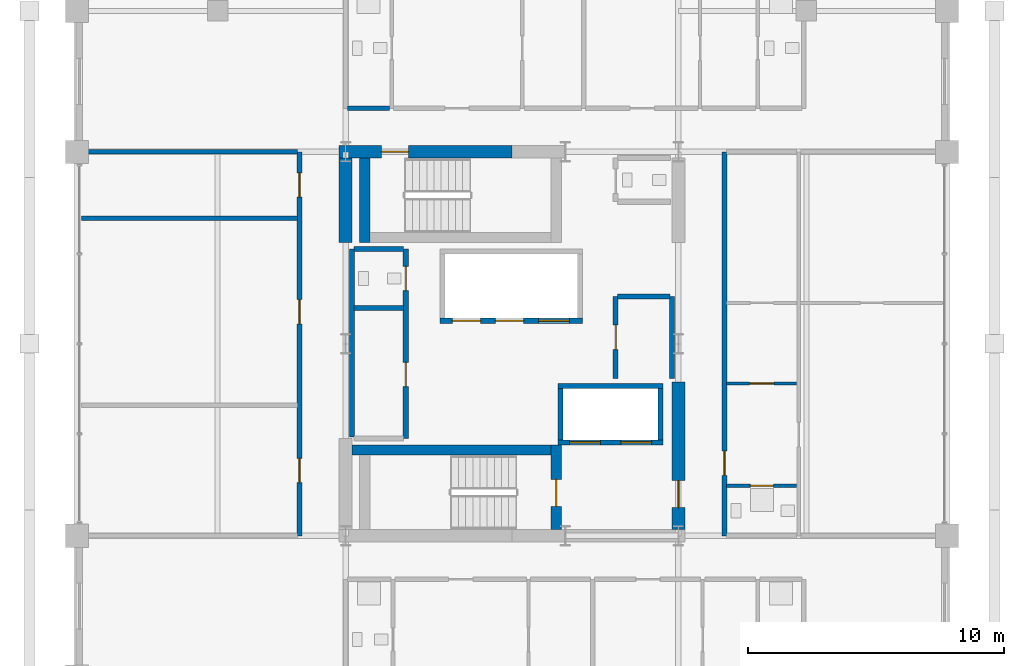
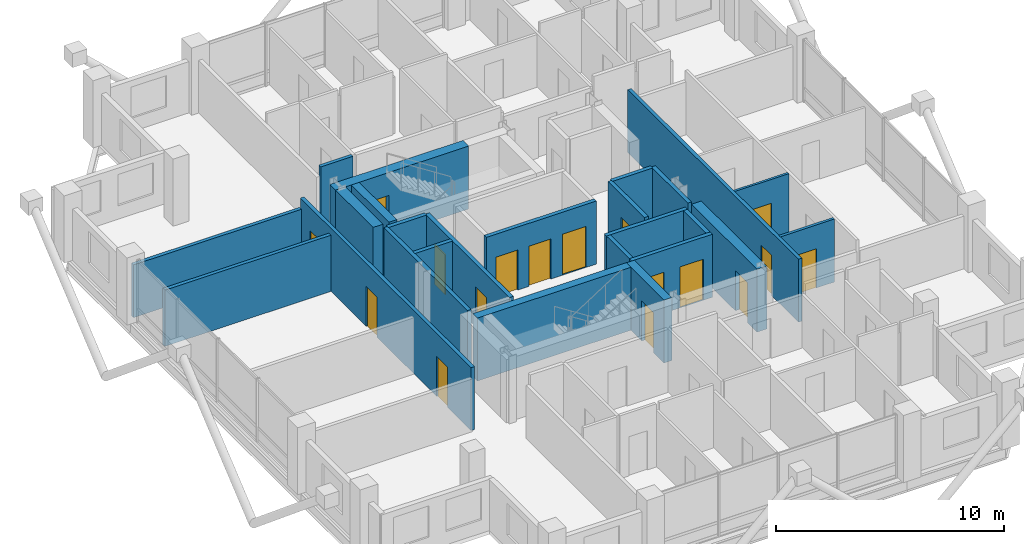
# One storey, part 19 of 23: 25 walls, 17 doors, 17 openings.
"""IFC4 building model written with IfcOpenShell, lengths in metres."""

from ifc_helpers import new_model, si_unit, direction, frame, frame_2d, origin, place, context, subcontext, project, spatial, rectangle, extrude, material, layer, layer_set, type_object, element, fill, save


model = new_model("IFC4")

# Units and contexts
model_context = context("Model", 3, precision=1e-05, world=origin(), true_north=direction((0.0, 1.0)))
body_context = subcontext(model_context, "Body", "Model", "MODEL_VIEW")
ifc_project = project(units=[si_unit("LENGTHUNIT", "METRE"), si_unit("AREAUNIT", "SQUARE_METRE"), si_unit("VOLUMEUNIT", "CUBIC_METRE"), si_unit("PLANEANGLEUNIT", "RADIAN"), si_unit("MASSUNIT", "GRAM", prefix="KILO")], contexts=[model_context])

# Site, building, storey
site_placement = place(None, origin())
site = spatial("IfcSite", under=ifc_project, at=site_placement, CompositionType="ELEMENT")
building_placement = place(site_placement, origin())
building = spatial("IfcBuilding", under=site, at=building_placement, Name="Barlavira Tower and Art Museum", CompositionType="ELEMENT")
storey_placement = place(building_placement, frame((0.0, 0.0, 236.699951171875)))
storey = spatial("IfcBuildingStorey", under=building, at=storey_placement, Name="L61", CompositionType="ELEMENT", Elevation=236.699951171875)

# Wall, opening, door
ifc_material_1 = material(Name="Gypsum acoustic stud partition", Category="gypsum")
ifc_layer_1 = layer(ifc_material_1, 0.1201171875, Name="Gypsum acoustic stud partition")
ifc_layer_set_1 = layer_set([ifc_layer_1], Name="Gypsum acoustic stud partition")
wall_type_1 = type_object("IfcWallType", Name="Apartment Internal Acoustic Partition 120", PredefinedType="PARTITIONING", material=ifc_layer_set_1)
wall_1_placement = place(storey_placement, frame((8.3798828125, -1.550048828125, 0.0), z_axis=(0.0, 0.0, 1.0), x_axis=(1.0, 0.0, 0.0)))
wall_1 = element("IfcWall", 1, at=wall_1_placement, inside=storey, type_object=wall_type_1, Name="L61 Partition Wall 46", PredefinedType="PARTITIONING", context=body_context, shape_type="SweptSolid", body=[
    extrude(rectangle(XDim=2.740234375, YDim=0.1201171875, at=frame_2d((1.3701171875, 0.0))), origin(), (0.0, 0.0, 1.0), 3.380126953125),
])
opening_1_placement = place(wall_1_placement, frame((0.905029296875, 0.0, 0.0)))
opening_1 = element("IfcOpeningElement", 2, at=opening_1_placement, cuts=wall_1, Name="Opening D-02", PredefinedType="OPENING", context=body_context, shape_type="SweptSolid", body=[
    extrude(rectangle(XDim=0.949951171875, YDim=2.10009765625, at=frame_2d((0.47509765625, 1.050048828125))), frame((0.0, 0.070068359375, 0.0), z_axis=(0.0, -1.0, 0.0), x_axis=(1.0, 0.0, 0.0)), (0.0, 0.0, 1.0), 0.14013671875),
])
ifc_material_2 = material(Name="Engineered coastal hardwood", Category="wood")
door_type_1 = type_object("IfcDoorType", Name="Living and Salon Glazed-Leaf Door 950x2100", OperationType="NOTDEFINED", PredefinedType="DOOR", material=ifc_material_2)
door_1_placement = place(opening_1_placement, origin())
door_1 = element("IfcDoor", 3, at=door_1_placement, inside=storey, type_object=door_type_1, Name="Apartment E1 Kitchen Door", OperationType="SINGLE_SWING_LEFT", OverallHeight=2.10009765625, OverallWidth=0.949951171875, PredefinedType="DOOR", context=body_context, shape_type="SweptSolid", body=[
    extrude(rectangle(XDim=0.949951171875, YDim=2.10009765625, at=frame_2d((0.47509765625, 1.050048828125))), frame((0.0, 0.02490234375, 0.0), z_axis=(0.0, -1.0, 0.0), x_axis=(1.0, 0.0, 0.0)), (0.0, 0.0, 1.0), 0.050048828125),
])
fill(opening_1, door_1)

ifc_material_3 = material(Name="Concrete C60", Category="concrete")
ifc_layer_2 = layer(ifc_material_3, 0.5, Name="Concrete C60")
ifc_layer_set_2 = layer_set([ifc_layer_2], Name="Concrete C60")
wall_type_2 = type_object("IfcWallType", Name="Core Structural Shear Wall 500 Concrete C60", PredefinedType="SHEAR", material=ifc_layer_set_2)
wall_2_placement = place(storey_placement, frame((-6.75, 7.5, 0.0), z_axis=(0.0, 0.0, 1.0), x_axis=(1.0, 0.0, 0.0)))
wall_2 = element("IfcWall", 4, at=wall_2_placement, inside=storey, type_object=wall_type_2, Name="L61 Core Shear Wall CS-NW", PredefinedType="SHEAR", context=body_context, shape_type="SweptSolid", body=[
    extrude(rectangle(XDim=6.75, YDim=0.5, at=frame_2d((3.375, 0.0))), origin(), (0.0, 0.0, 1.0), 3.380126953125),
])
opening_2_placement = place(wall_2_placement, frame((1.64990234375, 0.0, 0.0)))
opening_2 = element("IfcOpeningElement", 5, at=opening_2_placement, cuts=wall_2, Name="Opening FD-90", PredefinedType="OPENING", context=body_context, shape_type="SweptSolid", body=[
    extrude(rectangle(XDim=1.050048828125, YDim=2.14990234375, at=frame_2d((0.52490234375, 1.074951171875))), frame((0.0, 0.260009765625, 0.0), z_axis=(0.0, -1.0, 0.0), x_axis=(1.0, 0.0, 0.0)), (0.0, 0.0, 1.0), 0.52001953125),
])
ifc_material_4 = material(Name="Brushed stainless steel", Category="steel")
door_type_2 = type_object("IfcDoorType", Name="Stair and Refuge Fire Door 1050x2150 FD90S", OperationType="NOTDEFINED", PredefinedType="DOOR", material=ifc_material_4)
door_2_placement = place(opening_2_placement, origin())
door_2 = element("IfcDoor", 6, at=door_2_placement, inside=storey, type_object=door_type_2, Name="L61 Stair ST-T2 Fire Door", OperationType="SINGLE_SWING_LEFT", OverallHeight=2.14990234375, OverallWidth=1.050048828125, PredefinedType="DOOR", context=body_context, shape_type="SweptSolid", body=[
    extrude(rectangle(XDim=1.050048828125, YDim=2.14990234375, at=frame_2d((0.52490234375, 1.074951171875))), frame((0.0, 0.02490234375, 0.0), z_axis=(0.0, -1.0, 0.0), x_axis=(1.0, 0.0, 0.0)), (0.0, 0.0, 1.0), 0.050048828125),
])
fill(opening_2, door_2)

# Wall
wall_3_placement = place(storey_placement, frame((-6.5, 3.949951171875, 0.0), z_axis=(0.0, 0.0, 1.0), x_axis=(0.0, 1.0, 0.0)))
element("IfcWall", 7, at=wall_3_placement, inside=storey, type_object=wall_type_2, Name="L61 Core Shear Wall CS-W2", PredefinedType="SHEAR", context=body_context, shape_type="SweptSolid", body=[
    extrude(rectangle(XDim=3.300048828125, YDim=0.5, at=frame_2d((1.64990234375, 0.0))), origin(), (0.0, 0.0, 1.0), 3.380126953125),
])

# Wall, opening, door
wall_4_placement = place(storey_placement, frame((6.5, -7.25, 0.0), z_axis=(0.0, 0.0, 1.0), x_axis=(0.0, 1.0, 0.0)))
wall_4 = element("IfcWall", 8, at=wall_4_placement, inside=storey, type_object=wall_type_2, Name="L61 Core Shear Wall CS-E1", PredefinedType="SHEAR", context=body_context, shape_type="SweptSolid", body=[
    extrude(rectangle(XDim=5.75, YDim=0.5, at=frame_2d((2.875, 0.0))), origin(), (0.0, 0.0, 1.0), 3.380126953125),
])
opening_3_placement = place(wall_4_placement, frame((0.85009765625, 0.0, 0.0)))
opening_3 = element("IfcOpeningElement", 9, at=opening_3_placement, cuts=wall_4, Name="Opening FD-90", PredefinedType="OPENING", context=body_context, shape_type="SweptSolid", body=[
    extrude(rectangle(XDim=1.050048828125, YDim=2.14990234375, at=frame_2d((0.52490234375, 1.074951171875))), frame((0.0, 0.260009765625, 0.0), z_axis=(0.0, -1.0, 0.0), x_axis=(1.0, 0.0, 0.0)), (0.0, 0.0, 1.0), 0.52001953125),
])
door_3_placement = place(opening_3_placement, origin())
door_3 = element("IfcDoor", 10, at=door_3_placement, inside=storey, type_object=door_type_2, Name="L61 Firefighting Lobby Entry Fire Door", OperationType="SINGLE_SWING_LEFT", OverallHeight=2.14990234375, OverallWidth=1.050048828125, PredefinedType="DOOR", context=body_context, shape_type="SweptSolid", body=[
    extrude(rectangle(XDim=1.050048828125, YDim=2.14990234375, at=frame_2d((0.52490234375, 1.074951171875))), frame((0.0, 0.02490234375, 0.0), z_axis=(0.0, -1.0, 0.0), x_axis=(1.0, 0.0, 0.0)), (0.0, 0.0, 1.0), 0.050048828125),
])
fill(opening_3, door_3)

# Wall, openings, doors
ifc_material_5 = material(Name="Autoclaved aerated concrete masonry", Category="masonry")
ifc_layer_3 = layer(ifc_material_5, 0.199951171875, Name="Autoclaved aerated concrete masonry")
ifc_layer_set_3 = layer_set([ifc_layer_3], Name="Autoclaved aerated concrete masonry")
wall_type_3 = type_object("IfcWallType", Name="Fire Compartment and Shaft Wall 200", PredefinedType="SOLIDWALL", material=ifc_layer_set_3)
wall_5_placement = place(storey_placement, frame((-2.820068359375, 0.89990234375, 0.0), z_axis=(0.0, 0.0, 1.0), x_axis=(1.0, 0.0, 0.0)))
wall_5 = element("IfcWall", 11, at=wall_5_placement, inside=storey, type_object=wall_type_3, Name="L61 High-Rise & Service Lift Front Wall", PredefinedType="SOLIDWALL", context=body_context, shape_type="SweptSolid", body=[
    extrude(rectangle(XDim=5.580078125, YDim=0.199951171875, at=frame_2d((2.7900390625, 0.0))), origin(), (0.0, 0.0, 1.0), 3.380126953125),
])
opening_4_placement = place(wall_5_placement, frame((0.489990234375, 0.0, 0.0)))
opening_4 = element("IfcOpeningElement", 12, at=opening_4_placement, cuts=wall_5, Name="Opening LD-P", PredefinedType="OPENING", context=body_context, shape_type="SweptSolid", body=[
    extrude(rectangle(XDim=1.10009765625, YDim=2.14990234375, at=frame_2d((0.550048828125, 1.074951171875))), frame((0.0, 0.10986328125, 0.0), z_axis=(0.0, -1.0, 0.0), x_axis=(1.0, 0.0, 0.0)), (0.0, 0.0, 1.0), 0.219970703125),
])
opening_5_placement = place(wall_5_placement, frame((2.169921875, 0.0, 0.0)))
opening_5 = element("IfcOpeningElement", 13, at=opening_5_placement, cuts=wall_5, Name="Opening LD-P", PredefinedType="OPENING", context=body_context, shape_type="SweptSolid", body=[
    extrude(rectangle(XDim=1.10009765625, YDim=2.14990234375, at=frame_2d((0.550048828125, 1.074951171875))), frame((0.0, 0.10986328125, 0.0), z_axis=(0.0, -1.0, 0.0), x_axis=(1.0, 0.0, 0.0)), (0.0, 0.0, 1.0), 0.219970703125),
])
opening_6_placement = place(wall_5_placement, frame((3.860107421875, 0.0, 0.0)))
opening_6 = element("IfcOpeningElement", 14, at=opening_6_placement, cuts=wall_5, Name="Opening LD-F", PredefinedType="OPENING", context=body_context, shape_type="SweptSolid", body=[
    extrude(rectangle(XDim=1.199951171875, YDim=2.199951171875, at=frame_2d((0.60009765625, 1.10009765625))), frame((0.0, 0.10986328125, 0.0), z_axis=(0.0, -1.0, 0.0), x_axis=(1.0, 0.0, 0.0)), (0.0, 0.0, 1.0), 0.219970703125),
])
door_type_3 = type_object("IfcDoorType", Name="Firefighting and Service Lift Sliding Door 1200x2200 FD120", OperationType="NOTDEFINED", PredefinedType="DOOR", material=ifc_material_4)
door_4_placement = place(opening_6_placement, origin())
door_4 = element("IfcDoor", 15, at=door_4_placement, inside=storey, type_object=door_type_3, Name="L61 Stretcher Service Lift SL1 Sliding Door", OperationType="DOUBLE_DOOR_SLIDING", OverallHeight=2.199951171875, OverallWidth=1.199951171875, PredefinedType="DOOR", context=body_context, shape_type="SweptSolid", body=[
    extrude(rectangle(XDim=1.199951171875, YDim=2.199951171875, at=frame_2d((0.60009765625, 1.10009765625))), frame((0.0, 0.02490234375, 0.0), z_axis=(0.0, -1.0, 0.0), x_axis=(1.0, 0.0, 0.0)), (0.0, 0.0, 1.0), 0.050048828125),
])
fill(opening_6, door_4)
door_type_4 = type_object("IfcDoorType", Name="Passenger Lift Sliding Landing Door 1100x2150 FD60", OperationType="NOTDEFINED", PredefinedType="DOOR", material=ifc_material_4)
door_5_placement = place(opening_4_placement, origin())
door_5 = element("IfcDoor", 16, at=door_5_placement, inside=storey, type_object=door_type_4, Name="L61 Lift PH1 Sliding Landing Door", OperationType="DOUBLE_DOOR_SLIDING", OverallHeight=2.14990234375, OverallWidth=1.10009765625, PredefinedType="DOOR", context=body_context, shape_type="SweptSolid", body=[
    extrude(rectangle(XDim=1.10009765625, YDim=2.14990234375, at=frame_2d((0.550048828125, 1.074951171875))), frame((0.0, 0.02490234375, 0.0), z_axis=(0.0, -1.0, 0.0), x_axis=(1.0, 0.0, 0.0)), (0.0, 0.0, 1.0), 0.050048828125),
])
fill(opening_4, door_5)
door_6_placement = place(opening_5_placement, origin())
door_6 = element("IfcDoor", 17, at=door_6_placement, inside=storey, type_object=door_type_4, Name="L61 Lift PH2 Sliding Landing Door", OperationType="DOUBLE_DOOR_SLIDING", OverallHeight=2.14990234375, OverallWidth=1.10009765625, PredefinedType="DOOR", context=body_context, shape_type="SweptSolid", body=[
    extrude(rectangle(XDim=1.10009765625, YDim=2.14990234375, at=frame_2d((0.550048828125, 1.074951171875))), frame((0.0, 0.02490234375, 0.0), z_axis=(0.0, -1.0, 0.0), x_axis=(1.0, 0.0, 0.0)), (0.0, 0.0, 1.0), 0.050048828125),
])
fill(opening_5, door_6)

wall_6_placement = place(storey_placement, frame((1.800048828125, -3.85009765625, 0.0), z_axis=(0.0, 0.0, 1.0), x_axis=(1.0, 0.0, 0.0)))
wall_6 = element("IfcWall", 18, at=wall_6_placement, inside=storey, type_object=wall_type_3, Name="L61 Firefighting Lift Front Shaft Wall", PredefinedType="SOLIDWALL", context=body_context, shape_type="SweptSolid", body=[
    extrude(rectangle(XDim=4.099853515625, YDim=0.199951171875, at=frame_2d((2.0498046875, 0.0))), origin(), (0.0, 0.0, 1.0), 3.380126953125),
])
opening_7_placement = place(wall_6_placement, frame((0.449951171875, 0.0, 0.0)))
opening_7 = element("IfcOpeningElement", 19, at=opening_7_placement, cuts=wall_6, Name="Opening LD-F", PredefinedType="OPENING", context=body_context, shape_type="SweptSolid", body=[
    extrude(rectangle(XDim=1.199951171875, YDim=2.199951171875, at=frame_2d((0.60009765625, 1.10009765625))), frame((0.0, 0.10986328125, 0.0), z_axis=(0.0, -1.0, 0.0), x_axis=(1.0, 0.0, 0.0)), (0.0, 0.0, 1.0), 0.219970703125),
])
opening_8_placement = place(wall_6_placement, frame((2.449951171875, 0.0, 0.0)))
opening_8 = element("IfcOpeningElement", 20, at=opening_8_placement, cuts=wall_6, Name="Opening LD-F", PredefinedType="OPENING", context=body_context, shape_type="SweptSolid", body=[
    extrude(rectangle(XDim=1.199951171875, YDim=2.199951171875, at=frame_2d((0.60009765625, 1.10009765625))), frame((0.0, 0.10986328125, 0.0), z_axis=(0.0, -1.0, 0.0), x_axis=(1.0, 0.0, 0.0)), (0.0, 0.0, 1.0), 0.219970703125),
])
door_7_placement = place(opening_7_placement, origin())
door_7 = element("IfcDoor", 21, at=door_7_placement, inside=storey, type_object=door_type_3, Name="L61 Firefighting Lift FF1 Sliding Door", OperationType="DOUBLE_DOOR_SLIDING", OverallHeight=2.199951171875, OverallWidth=1.199951171875, PredefinedType="DOOR", context=body_context, shape_type="SweptSolid", body=[
    extrude(rectangle(XDim=1.199951171875, YDim=2.199951171875, at=frame_2d((0.60009765625, 1.10009765625))), frame((0.0, 0.02490234375, 0.0), z_axis=(0.0, -1.0, 0.0), x_axis=(1.0, 0.0, 0.0)), (0.0, 0.0, 1.0), 0.050048828125),
])
fill(opening_7, door_7)
door_8_placement = place(opening_8_placement, origin())
door_8 = element("IfcDoor", 22, at=door_8_placement, inside=storey, type_object=door_type_3, Name="L61 Firefighting Lift FF2 Sliding Door", OperationType="DOUBLE_DOOR_SLIDING", OverallHeight=2.199951171875, OverallWidth=1.199951171875, PredefinedType="DOOR", context=body_context, shape_type="SweptSolid", body=[
    extrude(rectangle(XDim=1.199951171875, YDim=2.199951171875, at=frame_2d((0.60009765625, 1.10009765625))), frame((0.0, 0.02490234375, 0.0), z_axis=(0.0, -1.0, 0.0), x_axis=(1.0, 0.0, 0.0)), (0.0, 0.0, 1.0), 0.050048828125),
])
fill(opening_8, door_8)

# Walls
wall_7_placement = place(storey_placement, frame((1.800048828125, -1.64990234375, 0.0), z_axis=(0.0, 0.0, 1.0), x_axis=(1.0, 0.0, 0.0)))
element("IfcWall", 23, at=wall_7_placement, inside=storey, type_object=wall_type_3, Name="L61 Firefighting Lift Back Shaft Wall", PredefinedType="SOLIDWALL", context=body_context, shape_type="SweptSolid", body=[
    extrude(rectangle(XDim=4.099853515625, YDim=0.199951171875, at=frame_2d((2.0498046875, 0.0))), origin(), (0.0, 0.0, 1.0), 3.380126953125),
])
for number, where, z_axis, x_axis, name in (
    (24, (1.89990234375, -3.75, 0.0), (0.0, 0.0, 1.0), (0.0, 1.0, 0.0), "L61 Firefighting Lift West Shaft Wall"),
    (25, (5.800048828125, -3.75, 0.0), (0.0, 0.0, 1.0), (0.0, 1.0, 0.0), "L61 Firefighting Lift East Shaft Wall"),
):
    element("IfcWall", number, at=place(storey_placement, frame(where, z_axis=z_axis, x_axis=x_axis)), inside=storey, type_object=wall_type_3, Name=name, PredefinedType="SOLIDWALL", context=body_context, shape_type="SweptSolid", body=[
        extrude(rectangle(XDim=2.0, YDim=0.199951171875, at=frame_2d((1.0, 0.0))), origin(), (0.0, 0.0, 1.0), 3.380126953125),
    ])
wall_8_placement = place(storey_placement, frame((-6.25, -3.639892578125, 0.0), z_axis=(0.0, 0.0, 1.0), x_axis=(0.0, 1.0, 0.0)))
element("IfcWall", 26, at=wall_8_placement, inside=storey, type_object=wall_type_3, Name="L61 Partition Wall 4", PredefinedType="SOLIDWALL", context=body_context, shape_type="SweptSolid", body=[
    extrude(rectangle(XDim=7.33984375, YDim=0.199951171875, at=frame_2d((3.669921875, 0.0))), origin(), (0.0, 0.0, 1.0), 3.380126953125),
])

# Wall, openings, doors
wall_9_placement = place(storey_placement, frame((-4.14990234375, -3.699951171875, 0.0), z_axis=(0.0, 0.0, 1.0), x_axis=(0.0, 1.0, 0.0)))
wall_9 = element("IfcWall", 27, at=wall_9_placement, inside=storey, type_object=wall_type_3, Name="L61 Partition Wall 7", PredefinedType="SOLIDWALL", context=body_context, shape_type="SweptSolid", body=[
    extrude(rectangle(XDim=7.39990234375, YDim=0.199951171875, at=frame_2d((3.699951171875, 0.0))), origin(), (0.0, 0.0, 1.0), 3.380126953125),
])
opening_9_placement = place(wall_9_placement, frame((2.02490234375, 0.0, 0.0)))
opening_9 = element("IfcOpeningElement", 28, at=opening_9_placement, cuts=wall_9, Name="Opening FD-60", PredefinedType="OPENING", context=body_context, shape_type="SweptSolid", body=[
    extrude(rectangle(XDim=0.949951171875, YDim=2.14990234375, at=frame_2d((0.47509765625, 1.074951171875))), frame((0.0, 0.10986328125, 0.0), z_axis=(0.0, -1.0, 0.0), x_axis=(1.0, 0.0, 0.0)), (0.0, 0.0, 1.0), 0.219970703125),
])
opening_10_placement = place(wall_9_placement, frame((5.77490234375, 0.0, 0.0)))
opening_10 = element("IfcOpeningElement", 29, at=opening_10_placement, cuts=wall_9, Name="Opening FD-60", PredefinedType="OPENING", context=body_context, shape_type="SweptSolid", body=[
    extrude(rectangle(XDim=0.949951171875, YDim=2.14990234375, at=frame_2d((0.47509765625, 1.074951171875))), frame((0.0, 0.10986328125, 0.0), z_axis=(0.0, -1.0, 0.0), x_axis=(1.0, 0.0, 0.0)), (0.0, 0.0, 1.0), 0.219970703125),
])
door_type_5 = type_object("IfcDoorType", Name="Apartment Entrance and Riser Fire Door 950x2150 FD60S", OperationType="NOTDEFINED", PredefinedType="DOOR", material=ifc_material_4)
door_9_placement = place(opening_9_placement, origin())
door_9 = element("IfcDoor", 30, at=door_9_placement, inside=storey, type_object=door_type_5, Name="Reclaimed Core Resident Parcel Room Door", OperationType="SINGLE_SWING_RIGHT", OverallHeight=2.14990234375, OverallWidth=0.949951171875, PredefinedType="DOOR", context=body_context, shape_type="SweptSolid", body=[
    extrude(rectangle(XDim=0.949951171875, YDim=2.14990234375, at=frame_2d((0.47509765625, 1.074951171875))), frame((0.0, 0.02490234375, 0.0), z_axis=(0.0, -1.0, 0.0), x_axis=(1.0, 0.0, 0.0)), (0.0, 0.0, 1.0), 0.050048828125),
])
fill(opening_9, door_9)
door_10_placement = place(opening_10_placement, origin())
door_10 = element("IfcDoor", 31, at=door_10_placement, inside=storey, type_object=door_type_5, Name="Reclaimed Core Accessible WC Door", OperationType="SINGLE_SWING_LEFT", OverallHeight=2.14990234375, OverallWidth=0.949951171875, PredefinedType="DOOR", context=body_context, shape_type="SweptSolid", body=[
    extrude(rectangle(XDim=0.949951171875, YDim=2.14990234375, at=frame_2d((0.47509765625, 1.074951171875))), frame((0.0, 0.02490234375, 0.0), z_axis=(0.0, -1.0, 0.0), x_axis=(1.0, 0.0, 0.0)), (0.0, 0.0, 1.0), 0.050048828125),
])
fill(opening_10, door_10)

# Wall, opening, door
wall_10_placement = place(storey_placement, frame((4.050048828125, -1.35009765625, 0.0), z_axis=(0.0, 0.0, 1.0), x_axis=(0.0, 1.0, 0.0)))
wall_10 = element("IfcWall", 32, at=wall_10_placement, inside=storey, type_object=wall_type_3, Name="L61 Partition Wall 16", PredefinedType="SOLIDWALL", context=body_context, shape_type="SweptSolid", body=[
    extrude(rectangle(XDim=3.2001953125, YDim=0.199951171875, at=frame_2d((1.60009765625, 0.0))), origin(), (0.0, 0.0, 1.0), 3.380126953125),
])
opening_11_placement = place(wall_10_placement, frame((1.125, 0.0, 0.0)))
opening_11 = element("IfcOpeningElement", 33, at=opening_11_placement, cuts=wall_10, Name="Opening FD-60", PredefinedType="OPENING", context=body_context, shape_type="SweptSolid", body=[
    extrude(rectangle(XDim=0.949951171875, YDim=2.14990234375, at=frame_2d((0.47509765625, 1.074951171875))), frame((0.0, 0.10986328125, 0.0), z_axis=(0.0, -1.0, 0.0), x_axis=(1.0, 0.0, 0.0)), (0.0, 0.0, 1.0), 0.219970703125),
])
door_11_placement = place(opening_11_placement, origin())
door_11 = element("IfcDoor", 34, at=door_11_placement, inside=storey, type_object=door_type_5, Name="Reclaimed Upper Core Valet Store Door", OperationType="SINGLE_SWING_RIGHT", OverallHeight=2.14990234375, OverallWidth=0.949951171875, PredefinedType="DOOR", context=body_context, shape_type="SweptSolid", body=[
    extrude(rectangle(XDim=0.949951171875, YDim=2.14990234375, at=frame_2d((0.47509765625, 1.074951171875))), frame((0.0, 0.02490234375, 0.0), z_axis=(0.0, -1.0, 0.0), x_axis=(1.0, 0.0, 0.0)), (0.0, 0.0, 1.0), 0.050048828125),
])
fill(opening_11, door_11)

# Walls
wall_11_placement = place(storey_placement, frame((6.25, -1.35009765625, 0.0), z_axis=(0.0, 0.0, 1.0), x_axis=(0.0, 1.0, 0.0)))
element("IfcWall", 35, at=wall_11_placement, inside=storey, type_object=wall_type_3, Name="L61 Partition Wall 18", PredefinedType="SOLIDWALL", context=body_context, shape_type="SweptSolid", body=[
    extrude(rectangle(XDim=3.2001953125, YDim=0.199951171875, at=frame_2d((1.60009765625, 0.0))), origin(), (0.0, 0.0, 1.0), 3.380126953125),
])
wall_12_placement = place(storey_placement, frame((-6.169921875, 1.39990234375, 0.0), z_axis=(0.0, 0.0, 1.0), x_axis=(1.0, 0.0, 0.0)))
element("IfcWall", 36, at=wall_12_placement, inside=storey, type_object=wall_type_3, Name="L61 Partition Wall 47", PredefinedType="SOLIDWALL", context=body_context, shape_type="SweptSolid", body=[
    extrude(rectangle(XDim=1.93994140625, YDim=0.199951171875, at=frame_2d((0.969970703125, 0.0))), origin(), (0.0, 0.0, 1.0), 3.380126953125),
])
wall_13_placement = place(storey_placement, frame((4.1298828125, 1.85009765625, 0.0), z_axis=(0.0, 0.0, 1.0), x_axis=(1.0, 0.0, 0.0)))
element("IfcWall", 37, at=wall_13_placement, inside=storey, type_object=wall_type_3, Name="L61 Partition Wall 50", PredefinedType="SOLIDWALL", context=body_context, shape_type="SweptSolid", body=[
    extrude(rectangle(XDim=2.0400390625, YDim=0.199951171875, at=frame_2d((1.02001953125, 0.0))), origin(), (0.0, 0.0, 1.0), 3.380126953125),
])
wall_14_placement = place(storey_placement, frame((-6.169921875, 3.699951171875, 0.0), z_axis=(0.0, 0.0, 1.0), x_axis=(1.0, 0.0, 0.0)))
element("IfcWall", 38, at=wall_14_placement, inside=storey, type_object=wall_type_3, Name="L61 Partition Wall 51", PredefinedType="SOLIDWALL", context=body_context, shape_type="SweptSolid", body=[
    extrude(rectangle(XDim=1.93994140625, YDim=0.199951171875, at=frame_2d((0.969970703125, 0.0))), origin(), (0.0, 0.0, 1.0), 3.380126953125),
])

# Wall, openings, doors
ifc_layer_4 = layer(ifc_material_1, 0.179931640625, Name="Gypsum acoustic stud partition")
ifc_layer_set_4 = layer_set([ifc_layer_4], Name="Gypsum acoustic stud partition")
wall_type_4 = type_object("IfcWallType", Name="Inter-Tenancy Party Partition Wall 180", PredefinedType="PARTITIONING", material=ifc_layer_set_4)
wall_15_placement = place(storey_placement, frame((-8.300048828125, -7.5, 0.0), z_axis=(0.0, 0.0, 1.0), x_axis=(0.0, 1.0, 0.0)))
wall_15 = element("IfcWall", 39, at=wall_15_placement, inside=storey, type_object=wall_type_4, Name="L61 Partition Wall 1", PredefinedType="PARTITIONING", context=body_context, shape_type="SweptSolid", body=[
    extrude(rectangle(XDim=15.0, YDim=0.179931640625, at=frame_2d((7.5, 0.0))), origin(), (0.0, 0.0, 1.0), 3.380126953125),
])
opening_12_placement = place(wall_15_placement, frame((2.074951171875, 0.0, 0.0)))
opening_12 = element("IfcOpeningElement", 40, at=opening_12_placement, cuts=wall_15, Name="Opening FD-60", PredefinedType="OPENING", context=body_context, shape_type="SweptSolid", body=[
    extrude(rectangle(XDim=0.949951171875, YDim=2.14990234375, at=frame_2d((0.47509765625, 1.074951171875))), frame((0.0, 0.10009765625, 0.0), z_axis=(0.0, -1.0, 0.0), x_axis=(1.0, 0.0, 0.0)), (0.0, 0.0, 1.0), 0.199951171875),
])
opening_13_placement = place(wall_15_placement, frame((8.27490234375, 0.0, 0.0)))
opening_13 = element("IfcOpeningElement", 41, at=opening_13_placement, cuts=wall_15, Name="Opening FD-60", PredefinedType="OPENING", context=body_context, shape_type="SweptSolid", body=[
    extrude(rectangle(XDim=0.949951171875, YDim=2.14990234375, at=frame_2d((0.47509765625, 1.074951171875))), frame((0.0, 0.10009765625, 0.0), z_axis=(0.0, -1.0, 0.0), x_axis=(1.0, 0.0, 0.0)), (0.0, 0.0, 1.0), 0.199951171875),
])
opening_14_placement = place(wall_15_placement, frame((13.22509765625, 0.0, 0.0)))
opening_14 = element("IfcOpeningElement", 42, at=opening_14_placement, cuts=wall_15, Name="Opening FD-60", PredefinedType="OPENING", context=body_context, shape_type="SweptSolid", body=[
    extrude(rectangle(XDim=0.949951171875, YDim=2.14990234375, at=frame_2d((0.47509765625, 1.074951171875))), frame((0.0, 0.10009765625, 0.0), z_axis=(0.0, -1.0, 0.0), x_axis=(1.0, 0.0, 0.0)), (0.0, 0.0, 1.0), 0.199951171875),
])
door_12_placement = place(opening_12_placement, origin())
door_12 = element("IfcDoor", 43, at=door_12_placement, inside=storey, type_object=door_type_5, Name="Resident Art Collectors Salon Door", OperationType="SINGLE_SWING_RIGHT", OverallHeight=2.14990234375, OverallWidth=0.949951171875, PredefinedType="DOOR", context=body_context, shape_type="SweptSolid", body=[
    extrude(rectangle(XDim=0.949951171875, YDim=2.14990234375, at=frame_2d((0.47509765625, 1.074951171875))), frame((0.0, 0.02490234375, 0.0), z_axis=(0.0, -1.0, 0.0), x_axis=(1.0, 0.0, 0.0)), (0.0, 0.0, 1.0), 0.050048828125),
])
fill(opening_12, door_12)
door_13_placement = place(opening_13_placement, origin())
door_13 = element("IfcDoor", 44, at=door_13_placement, inside=storey, type_object=door_type_5, Name="Sculpture and Painting Workshop Door", OperationType="SINGLE_SWING_LEFT", OverallHeight=2.14990234375, OverallWidth=0.949951171875, PredefinedType="DOOR", context=body_context, shape_type="SweptSolid", body=[
    extrude(rectangle(XDim=0.949951171875, YDim=2.14990234375, at=frame_2d((0.47509765625, 1.074951171875))), frame((0.0, 0.02490234375, 0.0), z_axis=(0.0, -1.0, 0.0), x_axis=(1.0, 0.0, 0.0)), (0.0, 0.0, 1.0), 0.050048828125),
])
fill(opening_13, door_13)
door_14_placement = place(opening_14_placement, origin())
door_14 = element("IfcDoor", 45, at=door_14_placement, inside=storey, type_object=door_type_5, Name="Climate-Controlled Wine Tasting Room Door", OperationType="SINGLE_SWING_RIGHT", OverallHeight=2.14990234375, OverallWidth=0.949951171875, PredefinedType="DOOR", context=body_context, shape_type="SweptSolid", body=[
    extrude(rectangle(XDim=0.949951171875, YDim=2.14990234375, at=frame_2d((0.47509765625, 1.074951171875))), frame((0.0, 0.02490234375, 0.0), z_axis=(0.0, -1.0, 0.0), x_axis=(1.0, 0.0, 0.0)), (0.0, 0.0, 1.0), 0.050048828125),
])
fill(opening_14, door_14)

# Wall, opening, door
wall_16_placement = place(storey_placement, frame((8.300048828125, -7.5, 0.0), z_axis=(0.0, 0.0, 1.0), x_axis=(0.0, 1.0, 0.0)))
wall_16 = element("IfcWall", 46, at=wall_16_placement, inside=storey, type_object=wall_type_4, Name="L61 Partition Wall 21", PredefinedType="PARTITIONING", context=body_context, shape_type="SweptSolid", body=[
    extrude(rectangle(XDim=15.0, YDim=0.179931640625, at=frame_2d((7.5, 0.0))), origin(), (0.0, 0.0, 1.0), 3.380126953125),
])
opening_15_placement = place(wall_16_placement, frame((2.35498046875, 0.0, 0.0)))
opening_15 = element("IfcOpeningElement", 47, at=opening_15_placement, cuts=wall_16, Name="Opening FD-60", PredefinedType="OPENING", context=body_context, shape_type="SweptSolid", body=[
    extrude(rectangle(XDim=0.949951171875, YDim=2.14990234375, at=frame_2d((0.47509765625, 1.074951171875))), frame((0.0, 0.10009765625, 0.0), z_axis=(0.0, -1.0, 0.0), x_axis=(1.0, 0.0, 0.0)), (0.0, 0.0, 1.0), 0.199951171875),
])
door_15_placement = place(opening_15_placement, origin())
door_15 = element("IfcDoor", 48, at=door_15_placement, inside=storey, type_object=door_type_5, Name="Apartment Entrance Hall E1 Door", OperationType="SINGLE_SWING_RIGHT", OverallHeight=2.14990234375, OverallWidth=0.949951171875, PredefinedType="DOOR", context=body_context, shape_type="SweptSolid", body=[
    extrude(rectangle(XDim=0.949951171875, YDim=2.14990234375, at=frame_2d((0.47509765625, 1.074951171875))), frame((0.0, 0.02490234375, 0.0), z_axis=(0.0, -1.0, 0.0), x_axis=(1.0, 0.0, 0.0)), (0.0, 0.0, 1.0), 0.050048828125),
])
fill(opening_15, door_15)

# Walls
wall_17_placement = place(storey_placement, frame((-16.820068359375, 4.89990234375, 0.0), z_axis=(0.0, 0.0, 1.0), x_axis=(1.0, 0.0, 0.0)))
element("IfcWall", 49, at=wall_17_placement, inside=storey, type_object=wall_type_4, Name="L61 Partition Wall 52", PredefinedType="PARTITIONING", context=body_context, shape_type="SweptSolid", body=[
    extrude(rectangle(XDim=8.440185546875, YDim=0.179931640625, at=frame_2d((4.22021484375, 0.0))), origin(), (0.0, 0.0, 1.0), 3.01806640625),
])
wall_18_placement = place(storey_placement, frame((-16.89990234375, 7.5, 0.0), z_axis=(0.0, 0.0, 1.0), x_axis=(1.0, 0.0, 0.0)))
element("IfcWall", 50, at=wall_18_placement, inside=storey, type_object=wall_type_4, Name="L61 Partition Wall 55", PredefinedType="PARTITIONING", context=body_context, shape_type="SweptSolid", body=[
    extrude(rectangle(XDim=8.52001953125, YDim=0.179931640625, at=frame_2d((4.260009765625, 0.0))), origin(), (0.0, 0.0, 1.0), 2.825927734375),
])
wall_19_placement = place(storey_placement, frame((-6.419921875, 9.199951171875, 0.0), z_axis=(0.0, 0.0, 1.0), x_axis=(1.0, 0.0, 0.0)))
element("IfcWall", 51, at=wall_19_placement, inside=storey, type_object=wall_type_4, Name="L61 Partition Wall 58", PredefinedType="PARTITIONING", context=body_context, shape_type="SweptSolid", body=[
    extrude(rectangle(XDim=1.639892578125, YDim=0.179931640625, at=frame_2d((0.81982421875, 0.0))), origin(), (0.0, 0.0, 1.0), 3.380126953125),
])

# Wall, opening, door
ifc_layer_5 = layer(ifc_material_1, 0.139892578125, Name="Gypsum acoustic stud partition")
ifc_layer_set_5 = layer_set([ifc_layer_5], Name="Gypsum acoustic stud partition")
wall_type_5 = type_object("IfcWallType", Name="Moisture-Resistant Bathroom Partition 140", PredefinedType="PARTITIONING", material=ifc_layer_set_5)
wall_20_placement = place(storey_placement, frame((8.3798828125, -5.550048828125, 0.0), z_axis=(0.0, 0.0, 1.0), x_axis=(1.0, 0.0, 0.0)))
wall_20 = element("IfcWall", 52, at=wall_20_placement, inside=storey, type_object=wall_type_5, Name="L61 Partition Wall 43", PredefinedType="PARTITIONING", context=body_context, shape_type="SweptSolid", body=[
    extrude(rectangle(XDim=2.740234375, YDim=0.139892578125, at=frame_2d((1.3701171875, 0.0))), origin(), (0.0, 0.0, 1.0), 3.380126953125),
])
opening_16_placement = place(wall_20_placement, frame((0.929931640625, 0.0, 0.0)))
opening_16 = element("IfcOpeningElement", 53, at=opening_16_placement, cuts=wall_20, Name="Opening D-WC", PredefinedType="OPENING", context=body_context, shape_type="SweptSolid", body=[
    extrude(rectangle(XDim=0.89990234375, YDim=2.10009765625, at=frame_2d((0.449951171875, 1.050048828125))), frame((0.0, 0.080078125, 0.0), z_axis=(0.0, -1.0, 0.0), x_axis=(1.0, 0.0, 0.0)), (0.0, 0.0, 1.0), 0.159912109375),
])
door_type_6 = type_object("IfcDoorType", Name="Accessible Bathroom Flush Door 900x2100", OperationType="NOTDEFINED", PredefinedType="DOOR", material=ifc_material_2)
door_16_placement = place(opening_16_placement, origin())
door_16 = element("IfcDoor", 54, at=door_16_placement, inside=storey, type_object=door_type_6, Name="Apartment E1 Hall Bathroom Door", OperationType="SINGLE_SWING_LEFT", OverallHeight=2.10009765625, OverallWidth=0.89990234375, PredefinedType="DOOR", context=body_context, shape_type="SweptSolid", body=[
    extrude(rectangle(XDim=0.89990234375, YDim=2.10009765625, at=frame_2d((0.449951171875, 1.050048828125))), frame((0.0, 0.02490234375, 0.0), z_axis=(0.0, -1.0, 0.0), x_axis=(1.0, 0.0, 0.0)), (0.0, 0.0, 1.0), 0.050048828125),
])
fill(opening_16, door_16)

# Wall
ifc_material_6 = material(Name="Concrete C55", Category="concrete")
ifc_layer_6 = layer(ifc_material_6, 0.39990234375, Name="Concrete C55")
ifc_layer_set_6 = layer_set([ifc_layer_6], Name="Concrete C55")
wall_type_6 = type_object("IfcWallType", Name="Upper Core Shear Wall 400 Concrete C55", PredefinedType="SHEAR", material=ifc_layer_set_6)
wall_21_placement = place(storey_placement, frame((-6.25, -4.14990234375, 0.0), z_axis=(0.0, 0.0, 1.0), x_axis=(1.0, 0.0, 0.0)))
element("IfcWall", 55, at=wall_21_placement, inside=storey, type_object=wall_type_6, Name="L61 ST-T1 North Shaft Wall", PredefinedType="SHEAR", context=body_context, shape_type="SweptSolid", body=[
    extrude(rectangle(XDim=7.780029296875, YDim=0.39990234375, at=frame_2d((3.89013671875, 0.0))), origin(), (0.0, 0.0, 1.0), 3.380126953125),
])

# Wall, opening, door
wall_22_placement = place(storey_placement, frame((1.72998046875, -7.25, 0.0), z_axis=(0.0, 0.0, 1.0), x_axis=(0.0, 1.0, 0.0)))
wall_22 = element("IfcWall", 56, at=wall_22_placement, inside=storey, type_object=wall_type_6, Name="L61 ST-T1 East Landing Wall", PredefinedType="SHEAR", context=body_context, shape_type="SweptSolid", body=[
    extrude(rectangle(XDim=3.300048828125, YDim=0.39990234375, at=frame_2d((1.64990234375, 0.0))), origin(), (0.0, 0.0, 1.0), 3.380126953125),
])
opening_17_placement = place(wall_22_placement, frame((0.89990234375, 0.0, 0.0)))
opening_17 = element("IfcOpeningElement", 57, at=opening_17_placement, cuts=wall_22, Name="Opening FD-90", PredefinedType="OPENING", context=body_context, shape_type="SweptSolid", body=[
    extrude(rectangle(XDim=1.050048828125, YDim=2.14990234375, at=frame_2d((0.52490234375, 1.074951171875))), frame((0.0, 0.2099609375, 0.0), z_axis=(0.0, -1.0, 0.0), x_axis=(1.0, 0.0, 0.0)), (0.0, 0.0, 1.0), 0.419921875),
])
door_17_placement = place(opening_17_placement, origin())
door_17 = element("IfcDoor", 58, at=door_17_placement, inside=storey, type_object=door_type_2, Name="L61 Stair ST-T1 Fire Door", OperationType="SINGLE_SWING_RIGHT", OverallHeight=2.14990234375, OverallWidth=1.050048828125, PredefinedType="DOOR", context=body_context, shape_type="SweptSolid", body=[
    extrude(rectangle(XDim=1.050048828125, YDim=2.14990234375, at=frame_2d((0.52490234375, 1.074951171875))), frame((0.0, 0.02490234375, 0.0), z_axis=(0.0, -1.0, 0.0), x_axis=(1.0, 0.0, 0.0)), (0.0, 0.0, 1.0), 0.050048828125),
])
fill(opening_17, door_17)

# Wall
wall_23_placement = place(storey_placement, frame((-5.75, 3.949951171875, 0.0), z_axis=(0.0, 0.0, 1.0), x_axis=(0.0, 1.0, 0.0)))
element("IfcWall", 59, at=wall_23_placement, inside=storey, type_object=wall_type_6, Name="L61 ST-T2 West Shaft Wall", PredefinedType="SHEAR", context=body_context, shape_type="SweptSolid", body=[
    extrude(rectangle(XDim=3.300048828125, YDim=0.39990234375, at=frame_2d((1.64990234375, 0.0))), origin(), (0.0, 0.0, 1.0), 3.380126953125),
])

save(model, "model.ifc")
